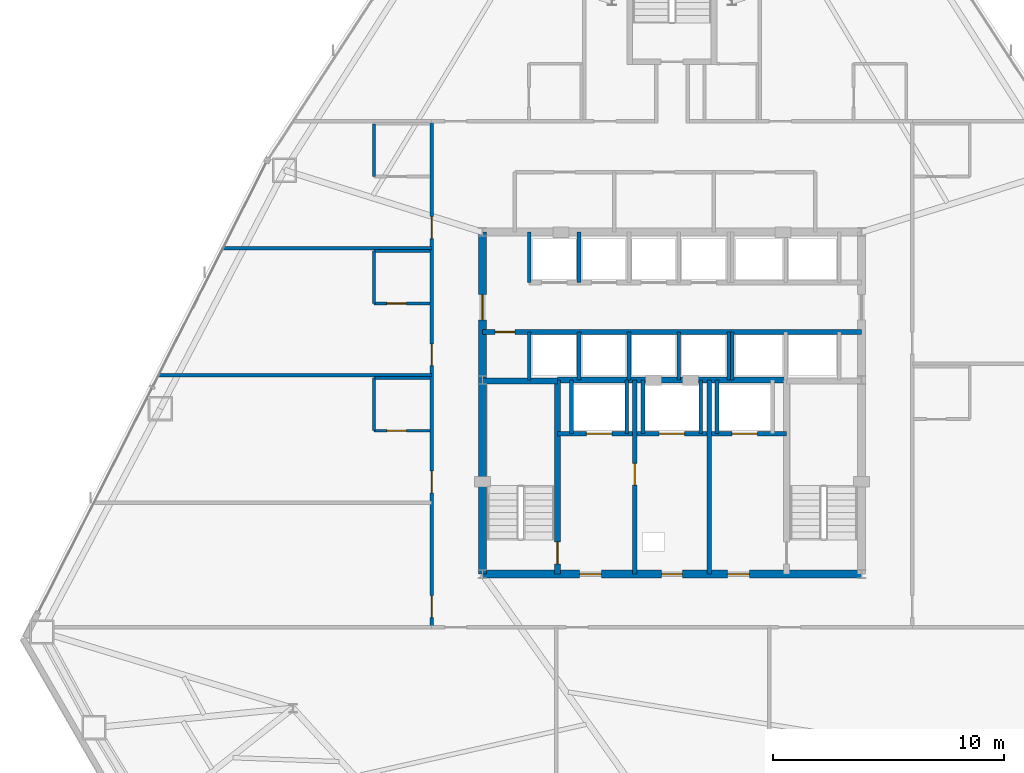
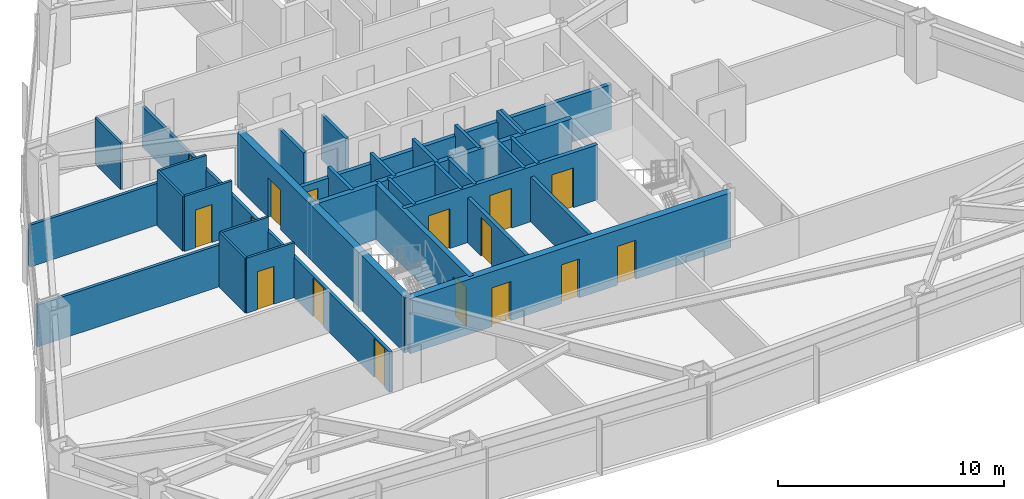
# One storey, part 9 of 12: 32 walls, 16 doors, 16 openings.
"""IFC4 building model written with IfcOpenShell, lengths in metres."""

from ifc_helpers import new_model, si_unit, direction, frame, frame_2d, origin, place, context, subcontext, project, spatial, rectangle, extrude, material, layer, layer_set, type_object, element, fill, save


model = new_model("IFC4")

# Units and contexts
model_context = context("Model", 3, precision=1e-05, world=origin(), true_north=direction((0.0, 1.0)))
body_context = subcontext(model_context, "Body", "Model", "MODEL_VIEW")
ifc_project = project(units=[si_unit("LENGTHUNIT", "METRE"), si_unit("AREAUNIT", "SQUARE_METRE"), si_unit("VOLUMEUNIT", "CUBIC_METRE"), si_unit("PLANEANGLEUNIT", "RADIAN"), si_unit("MASSUNIT", "GRAM", prefix="KILO")], contexts=[model_context])

# Site, building, storey
site_placement = place(None, origin())
site = spatial("IfcSite", under=ifc_project, at=site_placement, CompositionType="ELEMENT")
building_placement = place(site_placement, origin())
building = spatial("IfcBuilding", under=site, at=building_placement, Name="Varakhsha Concourse Tower", CompositionType="ELEMENT")
storey_placement = place(building_placement, frame((0.0, 0.0, 79.800048828125)))
storey = spatial("IfcBuildingStorey", under=building, at=storey_placement, Name="L22", CompositionType="ELEMENT", Elevation=79.800048828125)

# Wall, openings, doors
ifc_material_1 = material(Name="Concrete fc 65 MPa", Category="concrete")
ifc_layer_1 = layer(ifc_material_1, 0.35009765625, Name="WL-CORE-350")
ifc_layer_set_1 = layer_set([ifc_layer_1], Name="Concrete fc 65 MPa")
wall_type_1 = type_object("IfcWallType", Name="WL-CORE-350", PredefinedType="SHEAR", material=ifc_layer_set_1)
wall_1_placement = place(storey_placement, frame((31.800048828125, 16.39990234375, 0.0), z_axis=(0.0, 0.0, 1.0), x_axis=(1.0, 0.0, 0.0)))
wall_1 = element("IfcWall", 1, at=wall_1_placement, inside=storey, type_object=wall_type_1, Name="L22 Wall CWALL-S-L22", PredefinedType="SHEAR", context=body_context, shape_type="SweptSolid", body=[
    extrude(rectangle(XDim=16.39990234375, YDim=0.35009765625, at=frame_2d((8.199951171875, 0.0))), origin(), (0.0, 0.0, 1.0), 2.969970703125),
])
opening_1_placement = place(wall_1_placement, frame((7.75, 0.0, 0.0)))
opening_1 = element("IfcOpeningElement", 2, at=opening_1_placement, cuts=wall_1, Name="Opening DF-06", PredefinedType="OPENING", context=body_context, shape_type="SweptSolid", body=[
    extrude(rectangle(XDim=0.89990234375, YDim=2.10009765625, at=frame_2d((0.449951171875, 1.050048828125))), frame((0.0, 0.18505859375, 0.0), z_axis=(0.0, -1.0, 0.0), x_axis=(1.0, 0.0, 0.0)), (0.0, 0.0, 1.0), 0.3701171875),
])
opening_2_placement = place(wall_1_placement, frame((4.199951171875, 0.0, 0.0)))
opening_2 = element("IfcOpeningElement", 3, at=opening_2_placement, cuts=wall_1, Name="Opening DF-05", PredefinedType="OPENING", context=body_context, shape_type="SweptSolid", body=[
    extrude(rectangle(XDim=0.949951171875, YDim=2.10009765625, at=frame_2d((0.47509765625, 1.050048828125))), frame((0.0, 0.18505859375, 0.0), z_axis=(0.0, -1.0, 0.0), x_axis=(1.0, 0.0, 0.0)), (0.0, 0.0, 1.0), 0.3701171875),
])
opening_3_placement = place(wall_1_placement, frame((10.60009765625, 0.0, 0.0)))
opening_3 = element("IfcOpeningElement", 4, at=opening_3_placement, cuts=wall_1, Name="Opening DF-05", PredefinedType="OPENING", context=body_context, shape_type="SweptSolid", body=[
    extrude(rectangle(XDim=0.949951171875, YDim=2.10009765625, at=frame_2d((0.47509765625, 1.050048828125))), frame((0.0, 0.18505859375, 0.0), z_axis=(0.0, -1.0, 0.0), x_axis=(1.0, 0.0, 0.0)), (0.0, 0.0, 1.0), 0.3701171875),
])
ifc_material_2 = material(Name="Hollow Galvanised Steel Fire Door Assembly", Category="steel")
door_type_1 = type_object("IfcDoorType", Name="DR-FD60-900", OperationType="NOTDEFINED", PredefinedType="DOOR", material=ifc_material_2)
door_1_placement = place(opening_1_placement, origin())
door_1 = element("IfcDoor", 5, at=door_1_placement, inside=storey, type_object=door_type_1, Name="L22 Service Riser Vestibule Door", OperationType="SINGLE_SWING_LEFT", OverallHeight=2.10009765625, OverallWidth=0.89990234375, PredefinedType="DOOR", context=body_context, shape_type="SweptSolid", body=[
    extrude(rectangle(XDim=0.89990234375, YDim=2.10009765625, at=frame_2d((0.449951171875, 1.050048828125))), frame((0.0, 0.02490234375, 0.0), z_axis=(0.0, -1.0, 0.0), x_axis=(1.0, 0.0, 0.0)), (0.0, 0.0, 1.0), 0.050048828125),
])
fill(opening_1, door_1)
door_type_2 = type_object("IfcDoorType", Name="DR-FD60-950", OperationType="NOTDEFINED", PredefinedType="DOOR", material=ifc_material_2)
door_2_placement = place(opening_2_placement, origin())
door_2 = element("IfcDoor", 6, at=door_2_placement, inside=storey, type_object=door_type_2, Name="L22 Firefighting Lobby West Door", OperationType="SINGLE_SWING_RIGHT", OverallHeight=2.10009765625, OverallWidth=0.949951171875, PredefinedType="DOOR", context=body_context, shape_type="SweptSolid", body=[
    extrude(rectangle(XDim=0.949951171875, YDim=2.10009765625, at=frame_2d((0.47509765625, 1.050048828125))), frame((0.0, 0.02490234375, 0.0), z_axis=(0.0, -1.0, 0.0), x_axis=(1.0, 0.0, 0.0)), (0.0, 0.0, 1.0), 0.050048828125),
])
fill(opening_2, door_2)
door_3_placement = place(opening_3_placement, origin())
door_3 = element("IfcDoor", 7, at=door_3_placement, inside=storey, type_object=door_type_2, Name="L22 Firefighting Lobby East Door", OperationType="SINGLE_SWING_LEFT", OverallHeight=2.10009765625, OverallWidth=0.949951171875, PredefinedType="DOOR", context=body_context, shape_type="SweptSolid", body=[
    extrude(rectangle(XDim=0.949951171875, YDim=2.10009765625, at=frame_2d((0.47509765625, 1.050048828125))), frame((0.0, 0.02490234375, 0.0), z_axis=(0.0, -1.0, 0.0), x_axis=(1.0, 0.0, 0.0)), (0.0, 0.0, 1.0), 0.050048828125),
])
fill(opening_3, door_3)

# Wall, opening, door
wall_2_placement = place(storey_placement, frame((31.800048828125, 16.39990234375, 0.0), z_axis=(0.0, 0.0, 1.0), x_axis=(0.0, 1.0, 0.0)))
wall_2 = element("IfcWall", 8, at=wall_2_placement, inside=storey, type_object=wall_type_1, Name="L22 Wall CWALL-W-L22", PredefinedType="SHEAR", context=body_context, shape_type="SweptSolid", body=[
    extrude(rectangle(XDim=14.800048828125, YDim=0.35009765625, at=frame_2d((7.39990234375, 0.0))), origin(), (0.0, 0.0, 1.0), 2.969970703125),
])
opening_4_placement = place(wall_2_placement, frame((11.0, 0.0, 0.0)))
opening_4 = element("IfcOpeningElement", 9, at=opening_4_placement, cuts=wall_2, Name="Opening DL-01", PredefinedType="OPENING", context=body_context, shape_type="SweptSolid", body=[
    extrude(rectangle(XDim=1.10009765625, YDim=2.14990234375, at=frame_2d((0.550048828125, 1.074951171875))), frame((0.0, 0.18505859375, 0.0), z_axis=(0.0, -1.0, 0.0), x_axis=(1.0, 0.0, 0.0)), (0.0, 0.0, 1.0), 0.3701171875),
])
ifc_material_3 = material(Name="Anodised Bronze Architectural Aluminium AA 6063-T6", Category="aluminium")
door_type_3 = type_object("IfcDoorType", Name="DR-LOB-1100", OperationType="NOTDEFINED", PredefinedType="DOOR", material=ifc_material_3)
door_4_placement = place(opening_4_placement, origin())
door_4 = element("IfcDoor", 10, at=door_4_placement, inside=storey, type_object=door_type_3, Name="L22 Lift Lobby West Concourse Door", OperationType="SINGLE_SWING_LEFT", OverallHeight=2.14990234375, OverallWidth=1.10009765625, PredefinedType="DOOR", context=body_context, shape_type="SweptSolid", body=[
    extrude(rectangle(XDim=1.10009765625, YDim=2.14990234375, at=frame_2d((0.550048828125, 1.074951171875))), frame((0.0, 0.02490234375, 0.0), z_axis=(0.0, -1.0, 0.0), x_axis=(1.0, 0.0, 0.0)), (0.0, 0.0, 1.0), 0.050048828125),
])
fill(opening_4, door_4)

ifc_material_4 = material(Name="Fire-Rated Type X Gypsum Partition Assembly", Category="gypsum")
ifc_layer_2 = layer(ifc_material_4, 0.179931640625, Name="WL-FFLOB-180")
ifc_layer_set_2 = layer_set([ifc_layer_2], Name="Fire-Rated Type X Gypsum Partition Assembly")
wall_type_2 = type_object("IfcWallType", Name="WL-FFLOB-180", PredefinedType="PARTITIONING", material=ifc_layer_set_2)
wall_3_placement = place(storey_placement, frame((38.389892578125, 16.39990234375, 0.0), z_axis=(0.0, 0.0, 1.0), x_axis=(0.0, 1.0, 0.0)))
wall_3 = element("IfcWall", 11, at=wall_3_placement, inside=storey, type_object=wall_type_2, Name="L22 Wall FFW-1E-L22", PredefinedType="PARTITIONING", context=body_context, shape_type="SweptSolid", body=[
    extrude(rectangle(XDim=8.400146484375, YDim=0.179931640625, at=frame_2d((4.2001953125, 0.0))), origin(), (0.0, 0.0, 1.0), 2.4208984375),
])
opening_5_placement = place(wall_3_placement, frame((3.85009765625, 0.0, 0.0)))
opening_5 = element("IfcOpeningElement", 12, at=opening_5_placement, cuts=wall_3, Name="Opening DF-05", PredefinedType="OPENING", context=body_context, shape_type="SweptSolid", body=[
    extrude(rectangle(XDim=0.949951171875, YDim=2.10009765625, at=frame_2d((0.47509765625, 1.050048828125))), frame((0.0, 0.099853515625, 0.0), z_axis=(0.0, -1.0, 0.0), x_axis=(1.0, 0.0, 0.0)), (0.0, 0.0, 1.0), 0.199951171875),
])
door_5_placement = place(opening_5_placement, origin())
door_5 = element("IfcDoor", 13, at=door_5_placement, inside=storey, type_object=door_type_2, Name="L22 Service Vestibule Door", OperationType="SINGLE_SWING_RIGHT", OverallHeight=2.10009765625, OverallWidth=0.949951171875, PredefinedType="DOOR", context=body_context, shape_type="SweptSolid", body=[
    extrude(rectangle(XDim=0.949951171875, YDim=2.10009765625, at=frame_2d((0.47509765625, 1.050048828125))), frame((0.0, 0.02490234375, 0.0), z_axis=(0.0, -1.0, 0.0), x_axis=(1.0, 0.0, 0.0)), (0.0, 0.0, 1.0), 0.050048828125),
])
fill(opening_5, door_5)

# Walls
wall_4_placement = place(storey_placement, frame((41.610107421875, 16.39990234375, 0.0), z_axis=(0.0, 0.0, 1.0), x_axis=(0.0, 1.0, 0.0)))
element("IfcWall", 14, at=wall_4_placement, inside=storey, type_object=wall_type_2, Name="L22 Wall FFW-2W-L22", PredefinedType="PARTITIONING", context=body_context, shape_type="SweptSolid", body=[
    extrude(rectangle(XDim=8.400146484375, YDim=0.179931640625, at=frame_2d((4.2001953125, 0.0))), origin(), (0.0, 0.0, 1.0), 2.4208984375),
])
ifc_material_5 = material(Name="Acoustic Gypsum Board Partition Assembly", Category="gypsum")
ifc_layer_3 = layer(ifc_material_5, 0.1201171875, Name="WL-PART-120")
ifc_layer_set_3 = layer_set([ifc_layer_3], Name="Acoustic Gypsum Board Partition Assembly")
wall_type_3 = type_object("IfcWallType", Name="WL-PART-120", PredefinedType="PARTITIONING", material=ifc_layer_set_3)
wall_5_placement = place(storey_placement, frame((27.110107421875, 22.610107421875, 0.0), z_axis=(0.0, 0.0, 1.0), x_axis=(0.0, 1.0, 0.0)))
element("IfcWall", 15, at=wall_5_placement, inside=storey, type_object=wall_type_3, Name="L22 Wall ENSW-W-L22-H05", PredefinedType="PARTITIONING", context=body_context, shape_type="SweptSolid", body=[
    extrude(rectangle(XDim=2.27978515625, YDim=0.1201171875, at=frame_2d((1.139892578125, 0.0))), origin(), (0.0, 0.0, 1.0), 2.969970703125),
])

# Wall, opening, door
wall_6_placement = place(storey_placement, frame((27.110107421875, 22.610107421875, 0.0), z_axis=(0.0, 0.0, 1.0), x_axis=(1.0, 0.0, 0.0)))
wall_6 = element("IfcWall", 16, at=wall_6_placement, inside=storey, type_object=wall_type_3, Name="L22 Wall ENSW-S-L22-H05", PredefinedType="PARTITIONING", context=body_context, shape_type="SweptSolid", body=[
    extrude(rectangle(XDim=2.429931640625, YDim=0.1201171875, at=frame_2d((1.21484375, 0.0))), origin(), (0.0, 0.0, 1.0), 2.969970703125),
])
opening_6_placement = place(wall_6_placement, frame((0.550048828125, 0.0, 0.0)))
opening_6 = element("IfcOpeningElement", 17, at=opening_6_placement, cuts=wall_6, Name="Opening DI-01", PredefinedType="OPENING", context=body_context, shape_type="SweptSolid", body=[
    extrude(rectangle(XDim=0.85009765625, YDim=2.050048828125, at=frame_2d((0.425048828125, 1.02490234375))), frame((0.0, 0.070068359375, 0.0), z_axis=(0.0, -1.0, 0.0), x_axis=(1.0, 0.0, 0.0)), (0.0, 0.0, 1.0), 0.14013671875),
])
ifc_material_6 = material(Name="Architectural Walnut Acoustic Timber Door", Category="wood")
door_type_4 = type_object("IfcDoorType", Name="DR-INT-850", OperationType="NOTDEFINED", PredefinedType="DOOR", material=ifc_material_6)
door_6_placement = place(opening_6_placement, origin())
door_6 = element("IfcDoor", 18, at=door_6_placement, inside=storey, type_object=door_type_4, Name="L22 En-suite Bathroom Door L22-H05", OperationType="SINGLE_SWING_RIGHT", OverallHeight=2.050048828125, OverallWidth=0.85009765625, PredefinedType="DOOR", context=body_context, shape_type="SweptSolid", body=[
    extrude(rectangle(XDim=0.85009765625, YDim=2.050048828125, at=frame_2d((0.425048828125, 1.02490234375))), frame((0.0, 0.02490234375, 0.0), z_axis=(0.0, -1.0, 0.0), x_axis=(1.0, 0.0, 0.0)), (0.0, 0.0, 1.0), 0.050048828125),
])
fill(opening_6, door_6)

# Walls
wall_7_placement = place(storey_placement, frame((27.110107421875, 24.889892578125, 0.0), z_axis=(0.0, 0.0, 1.0), x_axis=(1.0, 0.0, 0.0)))
element("IfcWall", 19, at=wall_7_placement, inside=storey, type_object=wall_type_3, Name="L22 Wall ENSW-N-L22-H05", PredefinedType="PARTITIONING", context=body_context, shape_type="SweptSolid", body=[
    extrude(rectangle(XDim=2.429931640625, YDim=0.1201171875, at=frame_2d((1.21484375, 0.0))), origin(), (0.0, 0.0, 1.0), 2.969970703125),
])
wall_8_placement = place(storey_placement, frame((27.110107421875, 28.110107421875, 0.0), z_axis=(0.0, 0.0, 1.0), x_axis=(0.0, 1.0, 0.0)))
element("IfcWall", 20, at=wall_8_placement, inside=storey, type_object=wall_type_3, Name="L22 Wall ENSW-W-L22-H06", PredefinedType="PARTITIONING", context=body_context, shape_type="SweptSolid", body=[
    extrude(rectangle(XDim=2.27978515625, YDim=0.1201171875, at=frame_2d((1.139892578125, 0.0))), origin(), (0.0, 0.0, 1.0), 2.969970703125),
])

# Wall, opening, door
wall_9_placement = place(storey_placement, frame((27.110107421875, 28.110107421875, 0.0), z_axis=(0.0, 0.0, 1.0), x_axis=(1.0, 0.0, 0.0)))
wall_9 = element("IfcWall", 21, at=wall_9_placement, inside=storey, type_object=wall_type_3, Name="L22 Wall ENSW-S-L22-H06", PredefinedType="PARTITIONING", context=body_context, shape_type="SweptSolid", body=[
    extrude(rectangle(XDim=2.429931640625, YDim=0.1201171875, at=frame_2d((1.21484375, 0.0))), origin(), (0.0, 0.0, 1.0), 2.969970703125),
])
opening_7_placement = place(wall_9_placement, frame((0.550048828125, 0.0, 0.0)))
opening_7 = element("IfcOpeningElement", 22, at=opening_7_placement, cuts=wall_9, Name="Opening DI-01", PredefinedType="OPENING", context=body_context, shape_type="SweptSolid", body=[
    extrude(rectangle(XDim=0.85009765625, YDim=2.050048828125, at=frame_2d((0.425048828125, 1.02490234375))), frame((0.0, 0.070068359375, 0.0), z_axis=(0.0, -1.0, 0.0), x_axis=(1.0, 0.0, 0.0)), (0.0, 0.0, 1.0), 0.14013671875),
])
door_7_placement = place(opening_7_placement, origin())
door_7 = element("IfcDoor", 23, at=door_7_placement, inside=storey, type_object=door_type_4, Name="L22 En-suite Bathroom Door L22-H06", OperationType="SINGLE_SWING_RIGHT", OverallHeight=2.050048828125, OverallWidth=0.85009765625, PredefinedType="DOOR", context=body_context, shape_type="SweptSolid", body=[
    extrude(rectangle(XDim=0.85009765625, YDim=2.050048828125, at=frame_2d((0.425048828125, 1.02490234375))), frame((0.0, 0.02490234375, 0.0), z_axis=(0.0, -1.0, 0.0), x_axis=(1.0, 0.0, 0.0)), (0.0, 0.0, 1.0), 0.050048828125),
])
fill(opening_7, door_7)

# Walls
wall_10_placement = place(storey_placement, frame((27.110107421875, 30.389892578125, 0.0), z_axis=(0.0, 0.0, 1.0), x_axis=(1.0, 0.0, 0.0)))
element("IfcWall", 24, at=wall_10_placement, inside=storey, type_object=wall_type_3, Name="L22 Wall ENSW-N-L22-H06", PredefinedType="PARTITIONING", context=body_context, shape_type="SweptSolid", body=[
    extrude(rectangle(XDim=2.429931640625, YDim=0.1201171875, at=frame_2d((1.21484375, 0.0))), origin(), (0.0, 0.0, 1.0), 2.969970703125),
])
wall_11_placement = place(storey_placement, frame((27.110107421875, 33.610107421875, 0.0), z_axis=(0.0, 0.0, 1.0), x_axis=(0.0, 1.0, 0.0)))
element("IfcWall", 25, at=wall_11_placement, inside=storey, type_object=wall_type_3, Name="L22 Wall ENSW-W-L22-H07", PredefinedType="PARTITIONING", context=body_context, shape_type="SweptSolid", body=[
    extrude(rectangle(XDim=2.27978515625, YDim=0.1201171875, at=frame_2d((1.139892578125, 0.0))), origin(), (0.0, 0.0, 1.0), 2.5029296875),
])

# Wall, openings, doors
ifc_layer_4 = layer(ifc_material_4, 0.14990234375, Name="WL-PART-150")
ifc_layer_set_4 = layer_set([ifc_layer_4], Name="Fire-Rated Type X Gypsum Partition Assembly")
wall_type_4 = type_object("IfcWallType", Name="WL-PART-150", PredefinedType="PARTITIONING", material=ifc_layer_set_4)
wall_12_placement = place(storey_placement, frame((29.60009765625, 14.10009765625, 0.0), z_axis=(0.0, 0.0, 1.0), x_axis=(0.0, 1.0, 0.0)))
wall_12 = element("IfcWall", 26, at=wall_12_placement, inside=storey, type_object=wall_type_4, Name="L22 Wall CRW-W-L22", PredefinedType="PARTITIONING", context=body_context, shape_type="SweptSolid", body=[
    extrude(rectangle(XDim=21.89990234375, YDim=0.14990234375, at=frame_2d((10.949951171875, 0.0))), origin(), (0.0, 0.0, 1.0), 2.180908203125),
])
opening_8_placement = place(wall_12_placement, frame((0.419921875, 0.0, 0.0)))
opening_8 = element("IfcOpeningElement", 27, at=opening_8_placement, cuts=wall_12, Name="Opening DF-05", PredefinedType="OPENING", context=body_context, shape_type="SweptSolid", body=[
    extrude(rectangle(XDim=0.949951171875, YDim=2.10009765625, at=frame_2d((0.47509765625, 1.050048828125))), frame((0.0, 0.0849609375, 0.0), z_axis=(0.0, -1.0, 0.0), x_axis=(1.0, 0.0, 0.0)), (0.0, 0.0, 1.0), 0.169921875),
])
opening_9_placement = place(wall_12_placement, frame((5.820068359375, 0.0, 0.0)))
opening_9 = element("IfcOpeningElement", 28, at=opening_9_placement, cuts=wall_12, Name="Opening DF-05", PredefinedType="OPENING", context=body_context, shape_type="SweptSolid", body=[
    extrude(rectangle(XDim=0.949951171875, YDim=2.10009765625, at=frame_2d((0.47509765625, 1.050048828125))), frame((0.0, 0.0849609375, 0.0), z_axis=(0.0, -1.0, 0.0), x_axis=(1.0, 0.0, 0.0)), (0.0, 0.0, 1.0), 0.169921875),
])
opening_10_placement = place(wall_12_placement, frame((11.320068359375, 0.0, 0.0)))
opening_10 = element("IfcOpeningElement", 29, at=opening_10_placement, cuts=wall_12, Name="Opening DF-05", PredefinedType="OPENING", context=body_context, shape_type="SweptSolid", body=[
    extrude(rectangle(XDim=0.949951171875, YDim=2.10009765625, at=frame_2d((0.47509765625, 1.050048828125))), frame((0.0, 0.0849609375, 0.0), z_axis=(0.0, -1.0, 0.0), x_axis=(1.0, 0.0, 0.0)), (0.0, 0.0, 1.0), 0.169921875),
])
opening_11_placement = place(wall_12_placement, frame((16.820068359375, 0.0, 0.0)))
opening_11 = element("IfcOpeningElement", 30, at=opening_11_placement, cuts=wall_12, Name="Opening DF-05", PredefinedType="OPENING", context=body_context, shape_type="SweptSolid", body=[
    extrude(rectangle(XDim=0.949951171875, YDim=2.10009765625, at=frame_2d((0.47509765625, 1.050048828125))), frame((0.0, 0.0849609375, 0.0), z_axis=(0.0, -1.0, 0.0), x_axis=(1.0, 0.0, 0.0)), (0.0, 0.0, 1.0), 0.169921875),
])
door_8_placement = place(opening_8_placement, origin())
door_8 = element("IfcDoor", 31, at=door_8_placement, inside=storey, type_object=door_type_2, Name="L22 Hotel Fitness Studio L22-H04 Door", OperationType="SINGLE_SWING_RIGHT", OverallHeight=2.10009765625, OverallWidth=0.949951171875, PredefinedType="DOOR", context=body_context, shape_type="SweptSolid", body=[
    extrude(rectangle(XDim=0.949951171875, YDim=2.10009765625, at=frame_2d((0.47509765625, 1.050048828125))), frame((0.0, 0.02490234375, 0.0), z_axis=(0.0, -1.0, 0.0), x_axis=(1.0, 0.0, 0.0)), (0.0, 0.0, 1.0), 0.050048828125),
])
fill(opening_8, door_8)
door_9_placement = place(opening_9_placement, origin())
door_9 = element("IfcDoor", 32, at=door_9_placement, inside=storey, type_object=door_type_2, Name="L22 Hotel Corner Suite L22-H05 Entry Door", OperationType="SINGLE_SWING_LEFT", OverallHeight=2.10009765625, OverallWidth=0.949951171875, PredefinedType="DOOR", context=body_context, shape_type="SweptSolid", body=[
    extrude(rectangle(XDim=0.949951171875, YDim=2.10009765625, at=frame_2d((0.47509765625, 1.050048828125))), frame((0.0, 0.02490234375, 0.0), z_axis=(0.0, -1.0, 0.0), x_axis=(1.0, 0.0, 0.0)), (0.0, 0.0, 1.0), 0.050048828125),
])
fill(opening_9, door_9)
door_10_placement = place(opening_10_placement, origin())
door_10 = element("IfcDoor", 33, at=door_10_placement, inside=storey, type_object=door_type_2, Name="L22 Hotel Corner Suite L22-H06 Entry Door", OperationType="SINGLE_SWING_RIGHT", OverallHeight=2.10009765625, OverallWidth=0.949951171875, PredefinedType="DOOR", context=body_context, shape_type="SweptSolid", body=[
    extrude(rectangle(XDim=0.949951171875, YDim=2.10009765625, at=frame_2d((0.47509765625, 1.050048828125))), frame((0.0, 0.02490234375, 0.0), z_axis=(0.0, -1.0, 0.0), x_axis=(1.0, 0.0, 0.0)), (0.0, 0.0, 1.0), 0.050048828125),
])
fill(opening_10, door_10)
door_11_placement = place(opening_11_placement, origin())
door_11 = element("IfcDoor", 34, at=door_11_placement, inside=storey, type_object=door_type_2, Name="L22 Hotel Guest Room L22-H07 Entry Door", OperationType="SINGLE_SWING_LEFT", OverallHeight=2.10009765625, OverallWidth=0.949951171875, PredefinedType="DOOR", context=body_context, shape_type="SweptSolid", body=[
    extrude(rectangle(XDim=0.949951171875, YDim=2.10009765625, at=frame_2d((0.47509765625, 1.050048828125))), frame((0.0, 0.02490234375, 0.0), z_axis=(0.0, -1.0, 0.0), x_axis=(1.0, 0.0, 0.0)), (0.0, 0.0, 1.0), 0.050048828125),
])
fill(opening_11, door_11)

# Walls
wall_13_placement = place(storey_placement, frame((17.786865234375, 25.0, 0.0), z_axis=(0.0, 0.0, 1.0), x_axis=(1.0, 0.0, 0.0)))
element("IfcWall", 35, at=wall_13_placement, inside=storey, type_object=wall_type_4, Name="L22 Wall HDIV-W2-L22", PredefinedType="PARTITIONING", context=body_context, shape_type="SweptSolid", body=[
    extrude(rectangle(XDim=11.813232421875, YDim=0.14990234375, at=frame_2d((5.90673828125, 0.0))), origin(), (0.0, 0.0, 1.0), 2.258056640625),
])
wall_14_placement = place(storey_placement, frame((20.575927734375, 30.5, 0.0), z_axis=(0.0, 0.0, 1.0), x_axis=(1.0, 0.0, 0.0)))
element("IfcWall", 36, at=wall_14_placement, inside=storey, type_object=wall_type_4, Name="L22 Wall HDIV-W3-L22", PredefinedType="PARTITIONING", context=body_context, shape_type="SweptSolid", body=[
    extrude(rectangle(XDim=9.024169921875, YDim=0.14990234375, at=frame_2d((4.51220703125, 0.0))), origin(), (0.0, 0.0, 1.0), 2.258056640625),
])

# Wall, openings, doors
ifc_layer_5 = layer(ifc_material_4, 0.199951171875, Name="WL-SHAFT-220")
ifc_layer_set_5 = layer_set([ifc_layer_5], Name="Fire-Rated Type X Gypsum Partition Assembly")
wall_type_5 = type_object("IfcWallType", Name="WL-SHAFT-220", PredefinedType="SOLIDWALL", material=ifc_layer_set_5)
wall_15_placement = place(storey_placement, frame((35.044921875, 22.47998046875, 0.0), z_axis=(0.0, 0.0, 1.0), x_axis=(1.0, 0.0, 0.0)))
wall_15 = element("IfcWall", 37, at=wall_15_placement, inside=storey, type_object=wall_type_5, Name="L22 Wall FFW-NH-L22", PredefinedType="SOLIDWALL", context=body_context, shape_type="SweptSolid", body=[
    extrude(rectangle(XDim=9.91015625, YDim=0.199951171875, at=frame_2d((4.955078125, 0.0))), origin(), (0.0, 0.0, 1.0), 2.969970703125),
])
opening_12_placement = place(wall_15_placement, frame((1.2548828125, 0.0, 0.0)))
opening_12 = element("IfcOpeningElement", 38, at=opening_12_placement, cuts=wall_15, Name="Opening LD-FFL-1", PredefinedType="OPENING", context=body_context, shape_type="SweptSolid", body=[
    extrude(rectangle(XDim=1.10009765625, YDim=2.14990234375, at=frame_2d((0.550048828125, 1.074951171875))), frame((0.0, 0.10986328125, 0.0), z_axis=(0.0, -1.0, 0.0), x_axis=(1.0, 0.0, 0.0)), (0.0, 0.0, 1.0), 0.219970703125),
])
opening_13_placement = place(wall_15_placement, frame((7.554931640625, 0.0, 0.0)))
opening_13 = element("IfcOpeningElement", 39, at=opening_13_placement, cuts=wall_15, Name="Opening LD-FFL-2", PredefinedType="OPENING", context=body_context, shape_type="SweptSolid", body=[
    extrude(rectangle(XDim=1.10009765625, YDim=2.14990234375, at=frame_2d((0.550048828125, 1.074951171875))), frame((0.0, 0.10986328125, 0.0), z_axis=(0.0, -1.0, 0.0), x_axis=(1.0, 0.0, 0.0)), (0.0, 0.0, 1.0), 0.219970703125),
])
opening_14_placement = place(wall_15_placement, frame((4.405029296875, 0.0, 0.0)))
opening_14 = element("IfcOpeningElement", 40, at=opening_14_placement, cuts=wall_15, Name="Opening LD-SVL-1", PredefinedType="OPENING", context=body_context, shape_type="SweptSolid", body=[
    extrude(rectangle(XDim=1.10009765625, YDim=2.14990234375, at=frame_2d((0.550048828125, 1.074951171875))), frame((0.0, 0.10986328125, 0.0), z_axis=(0.0, -1.0, 0.0), x_axis=(1.0, 0.0, 0.0)), (0.0, 0.0, 1.0), 0.219970703125),
])
ifc_material_7 = material(Name="Brushed Austenitic Stainless Steel AISI 316", Category="steel")
door_type_5 = type_object("IfcDoorType", Name="DR-LD-1100", OperationType="DOUBLE_DOOR_SLIDING", PredefinedType="DOOR", material=ifc_material_7)
door_12_placement = place(opening_12_placement, origin())
door_12 = element("IfcDoor", 41, at=door_12_placement, inside=storey, type_object=door_type_5, Name="Lift Landing Door FFL-1 L22", OperationType="DOUBLE_DOOR_SLIDING", OverallHeight=2.14990234375, OverallWidth=1.10009765625, PredefinedType="DOOR", context=body_context, shape_type="SweptSolid", body=[
    extrude(rectangle(XDim=1.10009765625, YDim=2.14990234375, at=frame_2d((0.550048828125, 1.074951171875))), frame((0.0, 0.02490234375, 0.0), z_axis=(0.0, -1.0, 0.0), x_axis=(1.0, 0.0, 0.0)), (0.0, 0.0, 1.0), 0.050048828125),
])
fill(opening_12, door_12)
door_13_placement = place(opening_13_placement, origin())
door_13 = element("IfcDoor", 42, at=door_13_placement, inside=storey, type_object=door_type_5, Name="Lift Landing Door FFL-2 L22", OperationType="DOUBLE_DOOR_SLIDING", OverallHeight=2.14990234375, OverallWidth=1.10009765625, PredefinedType="DOOR", context=body_context, shape_type="SweptSolid", body=[
    extrude(rectangle(XDim=1.10009765625, YDim=2.14990234375, at=frame_2d((0.550048828125, 1.074951171875))), frame((0.0, 0.02490234375, 0.0), z_axis=(0.0, -1.0, 0.0), x_axis=(1.0, 0.0, 0.0)), (0.0, 0.0, 1.0), 0.050048828125),
])
fill(opening_13, door_13)
door_14_placement = place(opening_14_placement, origin())
door_14 = element("IfcDoor", 43, at=door_14_placement, inside=storey, type_object=door_type_5, Name="Lift Landing Door SVL-1 L22", OperationType="DOUBLE_DOOR_SLIDING", OverallHeight=2.14990234375, OverallWidth=1.10009765625, PredefinedType="DOOR", context=body_context, shape_type="SweptSolid", body=[
    extrude(rectangle(XDim=1.10009765625, YDim=2.14990234375, at=frame_2d((0.550048828125, 1.074951171875))), frame((0.0, 0.02490234375, 0.0), z_axis=(0.0, -1.0, 0.0), x_axis=(1.0, 0.0, 0.0)), (0.0, 0.0, 1.0), 0.050048828125),
])
fill(opening_14, door_14)

# Walls
for number, where, z_axis, x_axis, name in (
    (44, (35.64990234375, 22.47998046875, 0.0), (0.0, 0.0, 1.0), (0.0, 1.0, 0.0), "L22 Wall SHW-FFL-1-W-L22"),
    (45, (38.050048828125, 22.47998046875, 0.0), (0.0, 0.0, 1.0), (0.0, 1.0, 0.0), "L22 Wall SHW-FFL-1-E-L22"),
    (46, (41.949951171875, 22.47998046875, 0.0), (0.0, 0.0, 1.0), (0.0, 1.0, 0.0), "L22 Wall SHW-FFL-2-W-L22"),
    (47, (38.75, 22.47998046875, 0.0), (0.0, 0.0, 1.0), (0.0, 1.0, 0.0), "L22 Wall SHW-SVL-1-W-L22"),
    (48, (41.25, 22.47998046875, 0.0), (0.0, 0.0, 1.0), (0.0, 1.0, 0.0), "L22 Wall SHW-SVL-1-E-L22"),
):
    element("IfcWall", number, at=place(storey_placement, frame(where, z_axis=z_axis, x_axis=x_axis)), inside=storey, type_object=wall_type_5, Name=name, PredefinedType="SOLIDWALL", context=body_context, shape_type="SweptSolid", body=[
        extrude(rectangle(XDim=2.320068359375, YDim=0.159912109375, at=frame_2d((1.16015625, 0.0))), origin(), (0.0, 0.0, 1.0), 2.969970703125),
    ])

# Wall, opening, door
wall_16_placement = place(storey_placement, frame((31.800048828125, 26.8798828125, 0.0), z_axis=(0.0, 0.0, 1.0), x_axis=(1.0, 0.0, 0.0)))
wall_16 = element("IfcWall", 49, at=wall_16_placement, inside=storey, type_object=wall_type_5, Name="L22 Wall PLW-S-L22", PredefinedType="SOLIDWALL", context=body_context, shape_type="SweptSolid", body=[
    extrude(rectangle(XDim=16.39990234375, YDim=0.199951171875, at=frame_2d((8.199951171875, 0.0))), origin(), (0.0, 0.0, 1.0), 2.4208984375),
])
opening_15_placement = place(wall_16_placement, frame((0.550048828125, 0.0, 0.0)))
opening_15 = element("IfcOpeningElement", 50, at=opening_15_placement, cuts=wall_16, Name="Opening DF-07", PredefinedType="OPENING", context=body_context, shape_type="SweptSolid", body=[
    extrude(rectangle(XDim=0.85009765625, YDim=2.050048828125, at=frame_2d((0.425048828125, 1.02490234375))), frame((0.0, 0.10986328125, 0.0), z_axis=(0.0, -1.0, 0.0), x_axis=(1.0, 0.0, 0.0)), (0.0, 0.0, 1.0), 0.219970703125),
])
door_type_6 = type_object("IfcDoorType", Name="DR-FD60-850", OperationType="NOTDEFINED", PredefinedType="DOOR", material=ifc_material_2)
door_15_placement = place(opening_15_placement, origin())
door_15 = element("IfcDoor", 51, at=door_15_placement, inside=storey, type_object=door_type_6, Name="L22 Core Telecoms Closet Door", OperationType="SINGLE_SWING_RIGHT", OverallHeight=2.050048828125, OverallWidth=0.85009765625, PredefinedType="DOOR", context=body_context, shape_type="SweptSolid", body=[
    extrude(rectangle(XDim=0.85009765625, YDim=2.050048828125, at=frame_2d((0.425048828125, 1.02490234375))), frame((0.0, 0.02490234375, 0.0), z_axis=(0.0, -1.0, 0.0), x_axis=(1.0, 0.0, 0.0)), (0.0, 0.0, 1.0), 0.050048828125),
])
fill(opening_15, door_15)

# Walls
wall_17_placement = place(storey_placement, frame((33.820068359375, 29.02001953125, 0.0), z_axis=(0.0, 0.0, 1.0), x_axis=(0.0, 1.0, 0.0)))
element("IfcWall", 52, at=wall_17_placement, inside=storey, type_object=wall_type_5, Name="L22 Wall WBOH-E1-L22", PredefinedType="SOLIDWALL", context=body_context, shape_type="SweptSolid", body=[
    extrude(rectangle(XDim=2.179931640625, YDim=0.159912109375, at=frame_2d((1.08984375, 0.0))), origin(), (0.0, 0.0, 1.0), 2.4208984375),
])
wall_18_placement = place(storey_placement, frame((33.820068359375, 24.800048828125, 0.0), z_axis=(0.0, 0.0, 1.0), x_axis=(0.0, 1.0, 0.0)))
element("IfcWall", 53, at=wall_18_placement, inside=storey, type_object=wall_type_5, Name="L22 Wall WBOH-E2-L22", PredefinedType="SOLIDWALL", context=body_context, shape_type="SweptSolid", body=[
    extrude(rectangle(XDim=2.079833984375, YDim=0.159912109375, at=frame_2d((1.0400390625, 0.0))), origin(), (0.0, 0.0, 1.0), 2.969970703125),
])
wall_19_placement = place(storey_placement, frame((35.97998046875, 29.02001953125, 0.0), z_axis=(0.0, 0.0, 1.0), x_axis=(0.0, 1.0, 0.0)))
element("IfcWall", 54, at=wall_19_placement, inside=storey, type_object=wall_type_5, Name="L22 Wall SHW-LF-P01-E-L22", PredefinedType="SOLIDWALL", context=body_context, shape_type="SweptSolid", body=[
    extrude(rectangle(XDim=2.179931640625, YDim=0.159912109375, at=frame_2d((1.08984375, 0.0))), origin(), (0.0, 0.0, 1.0), 2.4208984375),
])
for number, where, z_axis, x_axis, name in (
    (55, (35.97998046875, 24.800048828125, 0.0), (0.0, 0.0, 1.0), (0.0, 1.0, 0.0), "L22 Wall SHW-LF-P05-E-L22"),
    (56, (38.139892578125, 24.800048828125, 0.0), (0.0, 0.0, 1.0), (0.0, 1.0, 0.0), "L22 Wall SHW-LF-P06-E-L22"),
    (57, (40.300048828125, 24.800048828125, 0.0), (0.0, 0.0, 1.0), (0.0, 1.0, 0.0), "L22 Wall SHW-LF-P07-E-L22"),
    (58, (42.4599609375, 24.800048828125, 0.0), (0.0, 0.0, 1.0), (0.0, 1.0, 0.0), "L22 Wall SHW-LF-P08-E-L22"),
    (59, (42.60009765625, 24.800048828125, 0.0), (0.0, 0.0, 1.0), (0.0, 1.0, 0.0), "L22 Wall SHW-LF-P11-W-L22"),
):
    element("IfcWall", number, at=place(storey_placement, frame(where, z_axis=z_axis, x_axis=x_axis)), inside=storey, type_object=wall_type_5, Name=name, PredefinedType="SOLIDWALL", context=body_context, shape_type="SweptSolid", body=[
        extrude(rectangle(XDim=2.079833984375, YDim=0.159912109375, at=frame_2d((1.0400390625, 0.0))), origin(), (0.0, 0.0, 1.0), 2.969970703125),
    ])

# Wall, opening, door
ifc_material_8 = material(Name="Concrete fc 45 MPa", Category="concrete")
ifc_layer_6 = layer(ifc_material_8, 0.25, Name="WL-STAIR-250")
ifc_layer_set_6 = layer_set([ifc_layer_6], Name="Concrete fc 45 MPa")
wall_type_6 = type_object("IfcWallType", Name="WL-STAIR-250", PredefinedType="SHEAR", material=ifc_layer_set_6)
wall_20_placement = place(storey_placement, frame((35.044921875, 16.39990234375, 0.0), z_axis=(0.0, 0.0, 1.0), x_axis=(0.0, 1.0, 0.0)))
wall_20 = element("IfcWall", 60, at=wall_20_placement, inside=storey, type_object=wall_type_6, Name="L22 Wall SWALL-ST1-E-L22", PredefinedType="SHEAR", context=body_context, shape_type="SweptSolid", body=[
    extrude(rectangle(XDim=8.400146484375, YDim=0.25, at=frame_2d((4.2001953125, 0.0))), origin(), (0.0, 0.0, 1.0), 2.969970703125),
])
opening_16_placement = place(wall_20_placement, frame((0.449951171875, 0.0, 0.0)))
opening_16 = element("IfcOpeningElement", 61, at=opening_16_placement, cuts=wall_20, Name="Opening DF-03", PredefinedType="OPENING", context=body_context, shape_type="SweptSolid", body=[
    extrude(rectangle(XDim=0.949951171875, YDim=2.10009765625, at=frame_2d((0.47509765625, 1.050048828125))), frame((0.0, 0.135009765625, 0.0), z_axis=(0.0, -1.0, 0.0), x_axis=(1.0, 0.0, 0.0)), (0.0, 0.0, 1.0), 0.27001953125),
])
door_type_7 = type_object("IfcDoorType", Name="DR-FD90-950", OperationType="NOTDEFINED", PredefinedType="DOOR", material=ifc_material_2)
door_16_placement = place(opening_16_placement, origin())
door_16 = element("IfcDoor", 62, at=door_16_placement, inside=storey, type_object=door_type_7, Name="L22 Stair ST1 Fire Door", OperationType="SINGLE_SWING_LEFT", OverallHeight=2.10009765625, OverallWidth=0.949951171875, PredefinedType="DOOR", context=body_context, shape_type="SweptSolid", body=[
    extrude(rectangle(XDim=0.949951171875, YDim=2.10009765625, at=frame_2d((0.47509765625, 1.050048828125))), frame((0.0, 0.02490234375, 0.0), z_axis=(0.0, -1.0, 0.0), x_axis=(1.0, 0.0, 0.0)), (0.0, 0.0, 1.0), 0.050048828125),
])
fill(opening_16, door_16)

# Walls
wall_21_placement = place(storey_placement, frame((31.800048828125, 24.7548828125, 0.0), z_axis=(0.0, 0.0, 1.0), x_axis=(1.0, 0.0, 0.0)))
element("IfcWall", 63, at=wall_21_placement, inside=storey, type_object=wall_type_6, Name="L22 Wall SWALL-ST1-N-L22", PredefinedType="SHEAR", context=body_context, shape_type="SweptSolid", body=[
    extrude(rectangle(XDim=3.244873046875, YDim=0.25, at=frame_2d((1.62255859375, 0.0))), origin(), (0.0, 0.0, 1.0), 2.969970703125),
])
wall_22_placement = place(storey_placement, frame((35.044921875, 24.800048828125, 0.0), z_axis=(0.0, 0.0, 1.0), x_axis=(1.0, 0.0, 0.0)))
element("IfcWall", 64, at=wall_22_placement, inside=storey, type_object=wall_type_6, Name="L22 Wall SWALL-MID-H-L22", PredefinedType="SHEAR", context=body_context, shape_type="SweptSolid", body=[
    extrude(rectangle(XDim=9.91015625, YDim=0.25, at=frame_2d((4.955078125, 0.0))), origin(), (0.0, 0.0, 1.0), 2.969970703125),
])

save(model, "model.ifc")
